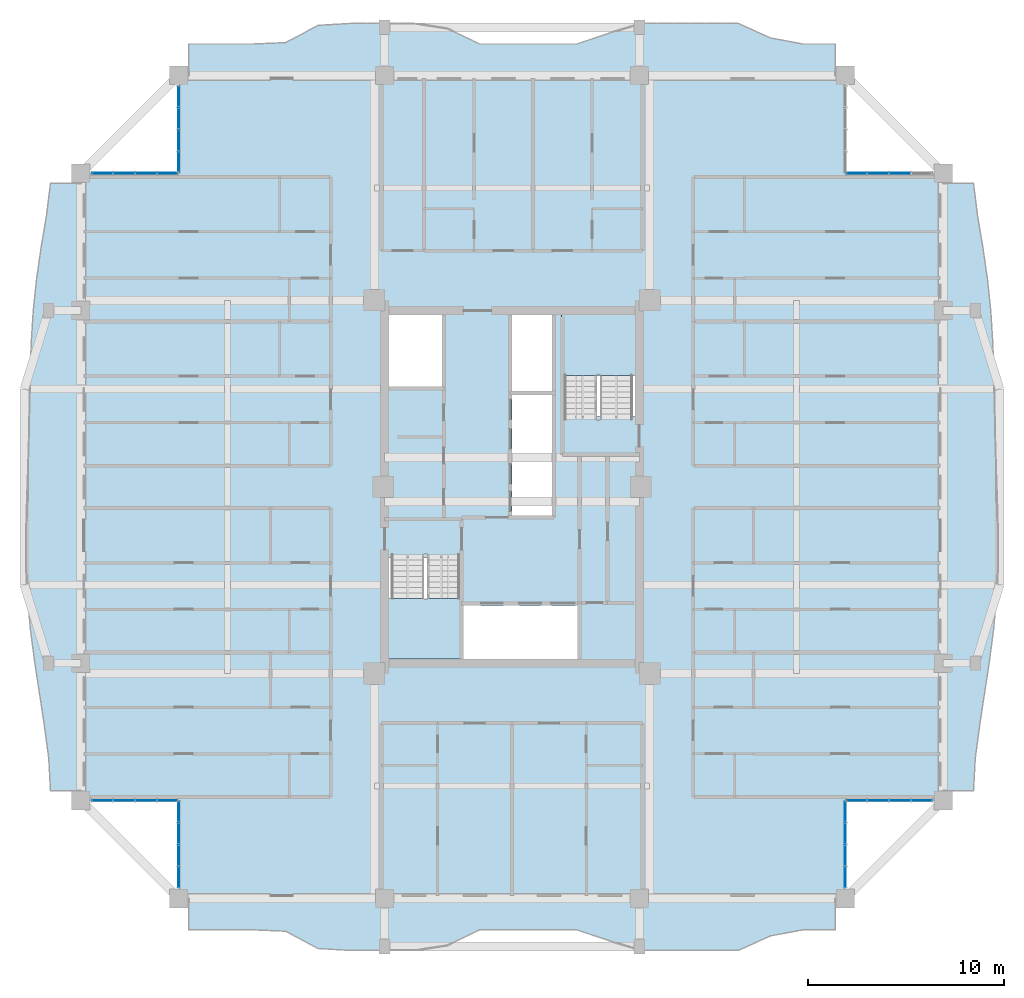
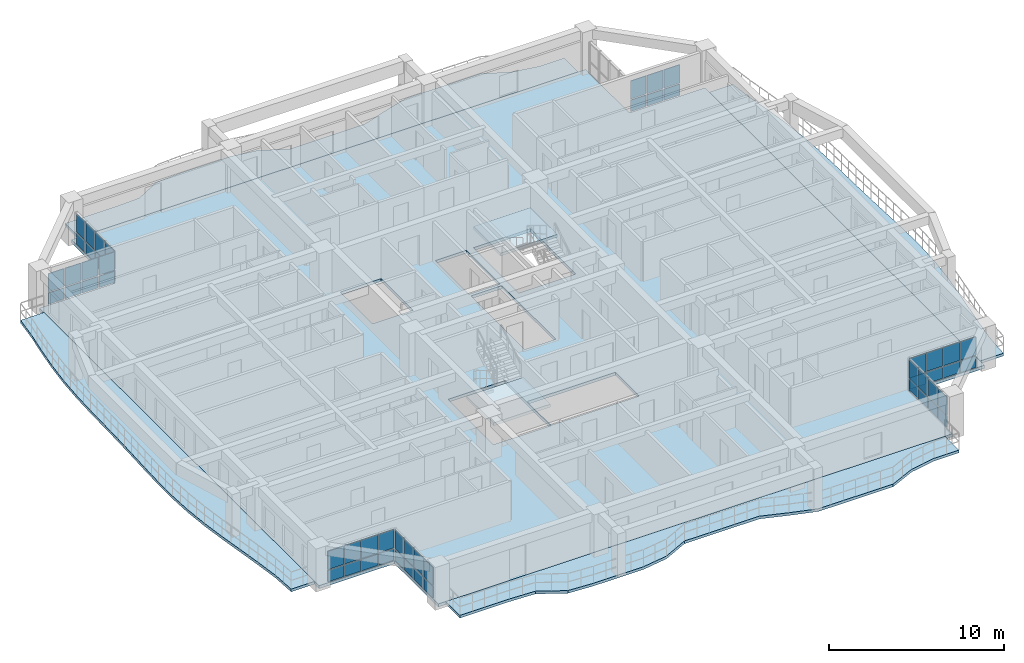
# One storey, part 10 of 23: 54 plates, 7 slabs, 9 elements without a shape of their own.
"""IFC4 building model written with IfcOpenShell, lengths in metres."""

from ifc_helpers import new_model, si_unit, direction, frame, origin, origin_2d, place, context, subcontext, project, spatial, polyline, rectangle, outline, extrude, source, transform, mapped, material, layer, layer_set, type_object, element, aggregate, save


model = new_model("IFC4")

# Units and contexts
model_context = context("Model", 3, precision=1e-05, world=origin(), true_north=direction((0.0, 1.0)))
body_context = subcontext(model_context, "Body", "Model", "MODEL_VIEW")
ifc_project = project(units=[si_unit("LENGTHUNIT", "METRE"), si_unit("AREAUNIT", "SQUARE_METRE"), si_unit("VOLUMEUNIT", "CUBIC_METRE"), si_unit("PLANEANGLEUNIT", "RADIAN"), si_unit("MASSUNIT", "GRAM", prefix="KILO")], contexts=[model_context])

# Site, building, storey
site_placement = place(None, origin())
site = spatial("IfcSite", under=ifc_project, at=site_placement, CompositionType="ELEMENT")
building_placement = place(site_placement, origin())
building = spatial("IfcBuilding", under=site, at=building_placement, Name="Saelheon Loggia Tower", CompositionType="ELEMENT")
storey_placement = place(building_placement, frame((0.0, 0.0, 156.10009765625)))
storey = spatial("IfcBuildingStorey", under=building, at=storey_placement, Name="L49", CompositionType="ELEMENT", Elevation=156.10009765625)

# Slabs
ifc_material_1 = material(Name="Precast Concrete C45/55", Category="concrete")
ifc_layer_1 = layer(ifc_material_1, 0.18994140625)
ifc_layer_set_1 = layer_set([ifc_layer_1], Name="Precast Concrete C45/55")
slab_type_1 = type_object("IfcSlabType", Name="Slab_Loggia_Ext_190", PredefinedType="FLOOR", material=ifc_layer_set_1)
slab_1_placement = place(storey_placement, frame((0.0, 0.0, -0.190185546875)))
element("IfcSlab", 1, at=slab_1_placement, inside=storey, type_object=slab_type_1, Name="L49 Loggia Balcony Slab S", PredefinedType="FLOOR", context=body_context, shape_type="SweptSolid", body=[
    extrude(outline(polyline([(21.5, 4.39990234375), (23.14990234375, 4.39990234375), (24.800048828125, 4.39990234375), (26.449951171875, 4.32861328125), (28.10009765625, 3.448486328125), (29.75, 3.35009765625), (31.39990234375, 3.35009765625), (33.050048828125, 3.35009765625), (34.699951171875, 3.606689453125), (36.35009765625, 4.39990234375), (38.0, 4.39990234375), (39.64990234375, 4.39990234375), (41.300048828125, 4.39990234375), (42.949951171875, 3.85009765625), (44.60009765625, 3.35009765625), (46.25, 3.35009765625), (47.89990234375, 3.35009765625), (49.550048828125, 3.35009765625), (51.199951171875, 4.09326171875), (52.85009765625, 4.39990234375), (54.5, 4.39990234375), (54.5, 6.0), (21.5, 6.0), (21.5, 4.39990234375)])), origin(), (0.0, 0.0, 1.0), 0.190185546875),
])
slab_2_placement = place(storey_placement, frame((0.0, 0.0, -0.190185546875)))
element("IfcSlab", 2, at=slab_2_placement, inside=storey, type_object=slab_type_1, Name="L49 Loggia Balcony Slab N", PredefinedType="FLOOR", context=body_context, shape_type="SweptSolid", body=[
    extrude(outline(polyline([(21.5, 48.0), (54.5, 48.0), (54.5, 49.60009765625), (52.85009765625, 49.60009765625), (51.199951171875, 49.90673828125), (49.550048828125, 50.64990234375), (47.89990234375, 50.64990234375), (46.25, 50.64990234375), (44.60009765625, 50.64990234375), (42.949951171875, 50.14990234375), (41.300048828125, 49.60009765625), (39.64990234375, 49.60009765625), (38.0, 49.60009765625), (36.35009765625, 49.60009765625), (34.699951171875, 50.393310546875), (33.050048828125, 50.64990234375), (31.39990234375, 50.64990234375), (29.75, 50.64990234375), (28.10009765625, 50.551513671875), (26.449951171875, 49.67138671875), (24.800048828125, 49.60009765625), (23.14990234375, 49.60009765625), (21.5, 49.60009765625), (21.5, 48.0)])), origin(), (0.0, 0.0, 1.0), 0.190185546875),
])
slab_3_placement = place(storey_placement, frame((0.0, 0.0, -0.190185546875)))
element("IfcSlab", 3, at=slab_3_placement, inside=storey, type_object=slab_type_1, Name="L49 Loggia Balcony Slab E", PredefinedType="FLOOR", context=body_context, shape_type="SweptSolid", body=[
    extrude(outline(polyline([(60.0, 11.5), (61.550048828125, 11.5), (61.63671875, 13.131591796875), (61.852294921875, 14.76318359375), (62.099853515625, 16.394775390625), (62.35009765625, 18.0263671875), (62.56591796875, 19.657958984375), (62.71630859375, 21.28955078125), (62.78857421875, 22.921142578125), (62.790283203125, 24.552490234375), (62.747314453125, 26.18408203125), (62.690185546875, 27.81591796875), (62.643310546875, 29.447509765625), (62.612548828125, 31.078857421875), (62.5849609375, 32.71044921875), (62.533447265625, 34.342041015625), (62.430419921875, 35.9736328125), (62.259521484375, 37.605224609375), (62.024658203125, 39.23681640625), (61.75, 40.868408203125), (61.550048828125, 42.5), (60.0, 42.5), (60.0, 11.5)])), origin(), (0.0, 0.0, 1.0), 0.190185546875),
])
slab_4_placement = place(storey_placement, frame((0.0, 0.0, -0.190185546875)))
element("IfcSlab", 4, at=slab_4_placement, inside=storey, type_object=slab_type_1, Name="L49 Loggia Balcony Slab W", PredefinedType="FLOOR", context=body_context, shape_type="SweptSolid", body=[
    extrude(outline(polyline([(16.0, 11.5), (16.0, 42.5), (14.449951171875, 42.5), (14.25, 40.868408203125), (13.975341796875, 39.23681640625), (13.740478515625, 37.605224609375), (13.569580078125, 35.9736328125), (13.466552734375, 34.342041015625), (13.4150390625, 32.71044921875), (13.387451171875, 31.078857421875), (13.356689453125, 29.447509765625), (13.309814453125, 27.81591796875), (13.252685546875, 26.18408203125), (13.209716796875, 24.552490234375), (13.21142578125, 22.921142578125), (13.28369140625, 21.28955078125), (13.43408203125, 19.657958984375), (13.64990234375, 18.0263671875), (13.900146484375, 16.394775390625), (14.147705078125, 14.76318359375), (14.36328125, 13.131591796875), (14.449951171875, 11.5), (16.0, 11.5)])), origin(), (0.0, 0.0, 1.0), 0.190185546875),
])

# Stair, slab
ifc_material_2 = material(Name="Concrete C40/50", Category="concrete")
stair_type = type_object("IfcStairType", Name="Stair_Escape_Core", PredefinedType="HALF_TURN_STAIR", material=ifc_material_2)
stair_1_placement = place(storey_placement, origin())
stair_1 = element("IfcStair", 5, at=stair_1_placement, inside=storey, type_object=stair_type, Name="L49 Special Escape Stair ST1", PredefinedType="HALF_TURN_STAIR")
ifc_layer_2 = layer(ifc_material_2, 0.199951171875)
ifc_layer_set_2 = layer_set([ifc_layer_2], Name="Concrete C40/50")
slab_type_2 = type_object("IfcSlabType", Name="Slab_StairLanding_ST1", PredefinedType="LANDING", material=ifc_layer_set_2)
slab_5_placement = place(storey_placement, frame((0.0, 0.0, 1.2998046875)))
slab_5 = element("IfcSlab", 6, at=slab_5_placement, type_object=slab_type_2, Name="ST1 landing 1", PredefinedType="LANDING", context=body_context, shape_type="SweptSolid", body=[
    extrude(outline(polyline([(31.7099609375, 21.31005859375), (31.7099609375, 18.2099609375), (35.469970703125, 18.2099609375), (35.469970703125, 21.31005859375), (31.7099609375, 21.31005859375)])), origin(), (0.0, 0.0, 1.0), 0.2001953125),
])
aggregate(stair_1, [slab_5])

stair_2_placement = place(storey_placement, origin())
stair_2 = element("IfcStair", 7, at=stair_2_placement, inside=storey, type_object=stair_type, Name="L49 Special Escape Stair ST2", PredefinedType="HALF_TURN_STAIR")
ifc_layer_3 = layer(ifc_material_2, 0.199951171875)
ifc_layer_set_3 = layer_set([ifc_layer_3], Name="Concrete C40/50")
slab_type_3 = type_object("IfcSlabType", Name="Slab_StairLanding_ST2", PredefinedType="LANDING", material=ifc_layer_set_3)
slab_6_placement = place(storey_placement, frame((0.0, 0.0, 1.2998046875)))
slab_6 = element("IfcSlab", 8, at=slab_6_placement, type_object=slab_type_3, Name="ST2 landing 1", PredefinedType="LANDING", context=body_context, shape_type="SweptSolid", body=[
    extrude(outline(polyline([(44.2900390625, 32.68994140625), (44.2900390625, 35.7900390625), (40.530029296875, 35.7900390625), (40.530029296875, 32.68994140625), (44.2900390625, 32.68994140625)])), origin(), (0.0, 0.0, 1.0), 0.2001953125),
])
aggregate(stair_2, [slab_6])

# Slab
ifc_layer_4 = layer(ifc_material_2, 0.2099609375)
ifc_layer_set_4 = layer_set([ifc_layer_4], Name="Concrete C40/50")
slab_type_4 = type_object("IfcSlabType", Name="Slab_Tower_210", PredefinedType="FLOOR", material=ifc_layer_set_4)
slab_7_placement = place(storey_placement, frame((0.0, 0.0, -0.210205078125)))
element("IfcSlab", 9, at=slab_7_placement, inside=storey, type_object=slab_type_4, Name="L49 Tower Floor Slab", PredefinedType="FLOOR", context=body_context, shape_type="SweptSolid", body=[
    extrude(outline(polyline([(21.0, 6.0), (55.0, 6.0), (55.0, 11.0), (60.0, 11.0), (60.0, 43.0), (55.0, 43.0), (55.0, 48.0), (21.0, 48.0), (21.0, 43.0), (16.0, 43.0), (16.0, 11.0), (21.0, 11.0), (21.0, 6.0)]), holes=[polyline([(31.699951171875, 23.409912109375), (31.699951171875, 18.199951171875), (35.47998046875, 18.199951171875), (35.47998046875, 23.409912109375), (31.699951171875, 23.409912109375)]), polyline([(44.300048828125, 30.590087890625), (44.300048828125, 35.800048828125), (40.52001953125, 35.800048828125), (40.52001953125, 30.590087890625), (44.300048828125, 30.590087890625)]), polyline([(35.530029296875, 18.22509765625), (41.35009765625, 18.22509765625), (41.35009765625, 20.9599609375), (35.530029296875, 20.9599609375), (35.530029296875, 18.22509765625)]), polyline([(31.72509765625, 32.1201171875), (34.419921875, 32.1201171875), (34.419921875, 35.77490234375), (31.72509765625, 35.77490234375), (31.72509765625, 32.1201171875)]), polyline([(38.0, 31.89990234375), (40.050048828125, 31.89990234375), (40.050048828125, 35.77490234375), (38.0, 35.77490234375), (38.0, 31.89990234375)]), polyline([(38.0, 25.5400390625), (40.050048828125, 25.5400390625), (40.050048828125, 31.699951171875), (38.0, 31.699951171875), (38.0, 25.5400390625)])]), origin(), (0.0, 0.0, 1.0), 0.210205078125),
])

# Curtain wall, plates
ifc_material_3 = material(Name="High-Wind Aluminium and Triple Laminated Glass", Category="aluminium")
ifc_layer_5 = layer(ifc_material_3, 0.179931640625)
ifc_layer_set_5 = layer_set([ifc_layer_5], Name="High-Wind Aluminium and Triple Laminated Glass")
curtain_wall_type = type_object("IfcCurtainWallType", Name="CW_TowerLoggiaHigh", PredefinedType="NOTDEFINED", material=ifc_layer_set_5)
curtain_wall_1_placement = place(storey_placement, origin())
curtain_wall_1 = element("IfcCurtainWall", 10, at=curtain_wall_1_placement, inside=storey, type_object=curtain_wall_type, Name="L49 Corner Notch Glazing SW1", PredefinedType="NOTDEFINED")
ifc_material_4 = material(Name="Triple Low-E Laminated Glazing", Category="glass")
ifc_layer_6 = layer(ifc_material_4, 0.0439453125)
ifc_layer_set_6 = layer_set([ifc_layer_6], Name="Triple Low-E Laminated Glazing")
plate_type = type_object("IfcPlateType", Name="CW_TowerLoggiaHigh_Panel", PredefinedType="CURTAIN_PANEL", material=ifc_layer_set_6)
shared_shape_1 = source(origin(), body_context, "Body", "SweptSolid", [
    extrude(rectangle(XDim=1.016357421875, YDim=0.0439453125, at=origin_2d()), origin(), (0.0, 0.0, 1.0), 0.794921875),
])
plate_1_placement = place(storey_placement, frame((21.0, 7.093017578125, 0.06982421875), z_axis=(0.0, 0.0, 1.0), x_axis=(0.0, 1.0, 0.0)))
plate_1 = element("IfcPlate", 11, at=plate_1_placement, type_object=plate_type, Name="CW4 panel 1.1", PredefinedType="CURTAIN_PANEL", context=body_context, shape_type="MappedRepresentation", body=[
    mapped(shared_shape_1, transform((0.0, 0.0, 0.0), scale=1.0)),
])
plate_2_placement = place(storey_placement, frame((21.0, 10.421875, 0.06982421875), z_axis=(0.0, 0.0, 1.0), x_axis=(0.0, 1.0, 0.0)))
plate_2 = element("IfcPlate", 12, at=plate_2_placement, type_object=plate_type, Name="CW4 panel 4.1", PredefinedType="CURTAIN_PANEL", context=body_context, shape_type="MappedRepresentation", body=[
    mapped(shared_shape_1, transform((0.0, 0.0, 0.0), scale=1.0)),
])

curtain_wall_2_placement = place(storey_placement, origin())
curtain_wall_2 = element("IfcCurtainWall", 13, at=curtain_wall_2_placement, inside=storey, type_object=curtain_wall_type, Name="L49 Corner Notch Glazing SW2", PredefinedType="NOTDEFINED")
plate_3_placement = place(storey_placement, frame((17.093017578125, 11.0, 0.06982421875), z_axis=(0.0, 0.0, 1.0), x_axis=(1.0, 0.0, 0.0)))
plate_3 = element("IfcPlate", 14, at=plate_3_placement, type_object=plate_type, Name="CW4 panel 1.1", PredefinedType="CURTAIN_PANEL", context=body_context, shape_type="MappedRepresentation", body=[
    mapped(shared_shape_1, transform((0.0, 0.0, 0.0), scale=1.0)),
])
plate_4_placement = place(storey_placement, frame((20.421875, 11.0, 0.06982421875), z_axis=(0.0, 0.0, 1.0), x_axis=(1.0, 0.0, 0.0)))
plate_4 = element("IfcPlate", 15, at=plate_4_placement, type_object=plate_type, Name="CW4 panel 4.1", PredefinedType="CURTAIN_PANEL", context=body_context, shape_type="MappedRepresentation", body=[
    mapped(shared_shape_1, transform((0.0, 0.0, 0.0), scale=1.0)),
])

curtain_wall_3_placement = place(storey_placement, origin())
curtain_wall_3 = element("IfcCurtainWall", 16, at=curtain_wall_3_placement, inside=storey, type_object=curtain_wall_type, Name="L49 Corner Notch Glazing SE1", PredefinedType="NOTDEFINED")
plate_5_placement = place(storey_placement, frame((55.0, 7.093017578125, 0.06982421875), z_axis=(0.0, 0.0, 1.0), x_axis=(0.0, 1.0, 0.0)))
plate_5 = element("IfcPlate", 17, at=plate_5_placement, type_object=plate_type, Name="CW4 panel 1.1", PredefinedType="CURTAIN_PANEL", context=body_context, shape_type="MappedRepresentation", body=[
    mapped(shared_shape_1, transform((0.0, 0.0, 0.0), scale=1.0)),
])
plate_6_placement = place(storey_placement, frame((55.0, 10.421875, 0.06982421875), z_axis=(0.0, 0.0, 1.0), x_axis=(0.0, 1.0, 0.0)))
plate_6 = element("IfcPlate", 18, at=plate_6_placement, type_object=plate_type, Name="CW4 panel 4.1", PredefinedType="CURTAIN_PANEL", context=body_context, shape_type="MappedRepresentation", body=[
    mapped(shared_shape_1, transform((0.0, 0.0, 0.0), scale=1.0)),
])

curtain_wall_4_placement = place(storey_placement, origin())
curtain_wall_4 = element("IfcCurtainWall", 19, at=curtain_wall_4_placement, inside=storey, type_object=curtain_wall_type, Name="L49 Corner Notch Glazing SE2", PredefinedType="NOTDEFINED")
plate_7_placement = place(storey_placement, frame((55.578125, 11.0, 0.06982421875), z_axis=(0.0, 0.0, 1.0), x_axis=(1.0, 0.0, 0.0)))
plate_7 = element("IfcPlate", 20, at=plate_7_placement, type_object=plate_type, Name="CW4 panel 1.1", PredefinedType="CURTAIN_PANEL", context=body_context, shape_type="MappedRepresentation", body=[
    mapped(shared_shape_1, transform((0.0, 0.0, 0.0), scale=1.0)),
])
plate_8_placement = place(storey_placement, frame((58.906982421875, 11.0, 0.06982421875), z_axis=(0.0, 0.0, 1.0), x_axis=(1.0, 0.0, 0.0)))
plate_8 = element("IfcPlate", 21, at=plate_8_placement, type_object=plate_type, Name="CW4 panel 4.1", PredefinedType="CURTAIN_PANEL", context=body_context, shape_type="MappedRepresentation", body=[
    mapped(shared_shape_1, transform((0.0, 0.0, 0.0), scale=1.0)),
])

curtain_wall_5_placement = place(storey_placement, origin())
curtain_wall_5 = element("IfcCurtainWall", 22, at=curtain_wall_5_placement, inside=storey, type_object=curtain_wall_type, Name="L49 Corner Notch Glazing NW1", PredefinedType="NOTDEFINED")
plate_9_placement = place(storey_placement, frame((21.0, 43.578125, 0.06982421875), z_axis=(0.0, 0.0, 1.0), x_axis=(0.0, 1.0, 0.0)))
plate_9 = element("IfcPlate", 23, at=plate_9_placement, type_object=plate_type, Name="CW4 panel 1.1", PredefinedType="CURTAIN_PANEL", context=body_context, shape_type="MappedRepresentation", body=[
    mapped(shared_shape_1, transform((0.0, 0.0, 0.0), scale=1.0)),
])
plate_10_placement = place(storey_placement, frame((21.0, 46.906982421875, 0.06982421875), z_axis=(0.0, 0.0, 1.0), x_axis=(0.0, 1.0, 0.0)))
plate_10 = element("IfcPlate", 24, at=plate_10_placement, type_object=plate_type, Name="CW4 panel 4.1", PredefinedType="CURTAIN_PANEL", context=body_context, shape_type="MappedRepresentation", body=[
    mapped(shared_shape_1, transform((0.0, 0.0, 0.0), scale=1.0)),
])

curtain_wall_6_placement = place(storey_placement, origin())
curtain_wall_6 = element("IfcCurtainWall", 25, at=curtain_wall_6_placement, inside=storey, type_object=curtain_wall_type, Name="L49 Corner Notch Glazing NW2", PredefinedType="NOTDEFINED")
plate_11_placement = place(storey_placement, frame((17.093017578125, 43.0, 0.06982421875), z_axis=(0.0, 0.0, 1.0), x_axis=(1.0, 0.0, 0.0)))
plate_11 = element("IfcPlate", 26, at=plate_11_placement, type_object=plate_type, Name="CW4 panel 1.1", PredefinedType="CURTAIN_PANEL", context=body_context, shape_type="MappedRepresentation", body=[
    mapped(shared_shape_1, transform((0.0, 0.0, 0.0), scale=1.0)),
])
plate_12_placement = place(storey_placement, frame((20.421875, 43.0, 0.06982421875), z_axis=(0.0, 0.0, 1.0), x_axis=(1.0, 0.0, 0.0)))
plate_12 = element("IfcPlate", 27, at=plate_12_placement, type_object=plate_type, Name="CW4 panel 4.1", PredefinedType="CURTAIN_PANEL", context=body_context, shape_type="MappedRepresentation", body=[
    mapped(shared_shape_1, transform((0.0, 0.0, 0.0), scale=1.0)),
])

# Curtain wall, plate
curtain_wall_7_placement = place(storey_placement, origin())
curtain_wall_7 = element("IfcCurtainWall", 28, at=curtain_wall_7_placement, inside=storey, type_object=curtain_wall_type, Name="L49 Corner Notch Glazing NE2", PredefinedType="NOTDEFINED")
plate_13_placement = place(storey_placement, frame((55.578125, 43.0, 0.06982421875), z_axis=(0.0, 0.0, 1.0), x_axis=(1.0, 0.0, 0.0)))
plate_13 = element("IfcPlate", 29, at=plate_13_placement, type_object=plate_type, Name="CW4 panel 1.1", PredefinedType="CURTAIN_PANEL", context=body_context, shape_type="MappedRepresentation", body=[
    mapped(shared_shape_1, transform((0.0, 0.0, 0.0), scale=1.0)),
])

# Plate
shared_shape_2 = source(origin(), body_context, "Body", "SweptSolid", [
    extrude(rectangle(XDim=1.016357421875, YDim=0.0439453125, at=origin_2d()), origin(), (0.0, 0.0, 1.0), 1.27490234375),
])
plate_14_placement = place(storey_placement, frame((21.0, 7.093017578125, 0.93505859375), z_axis=(0.0, 0.0, 1.0), x_axis=(0.0, 1.0, 0.0)))
plate_14 = element("IfcPlate", 30, at=plate_14_placement, type_object=plate_type, Name="CW4 panel 1.2", PredefinedType="CURTAIN_PANEL", context=body_context, shape_type="MappedRepresentation", body=[
    mapped(shared_shape_2, transform((0.0, 0.0, 0.0), scale=1.0)),
])

plate_15_placement = place(storey_placement, frame((21.0, 10.421875, 0.93505859375), z_axis=(0.0, 0.0, 1.0), x_axis=(0.0, 1.0, 0.0)))
plate_15 = element("IfcPlate", 31, at=plate_15_placement, type_object=plate_type, Name="CW4 panel 4.2", PredefinedType="CURTAIN_PANEL", context=body_context, shape_type="MappedRepresentation", body=[
    mapped(shared_shape_2, transform((0.0, 0.0, 0.0), scale=1.0)),
])

plate_16_placement = place(storey_placement, frame((17.093017578125, 11.0, 0.93505859375), z_axis=(0.0, 0.0, 1.0), x_axis=(1.0, 0.0, 0.0)))
plate_16 = element("IfcPlate", 32, at=plate_16_placement, type_object=plate_type, Name="CW4 panel 1.2", PredefinedType="CURTAIN_PANEL", context=body_context, shape_type="MappedRepresentation", body=[
    mapped(shared_shape_2, transform((0.0, 0.0, 0.0), scale=1.0)),
])

plate_17_placement = place(storey_placement, frame((20.421875, 11.0, 0.93505859375), z_axis=(0.0, 0.0, 1.0), x_axis=(1.0, 0.0, 0.0)))
plate_17 = element("IfcPlate", 33, at=plate_17_placement, type_object=plate_type, Name="CW4 panel 4.2", PredefinedType="CURTAIN_PANEL", context=body_context, shape_type="MappedRepresentation", body=[
    mapped(shared_shape_2, transform((0.0, 0.0, 0.0), scale=1.0)),
])

plate_18_placement = place(storey_placement, frame((55.0, 7.093017578125, 0.93505859375), z_axis=(0.0, 0.0, 1.0), x_axis=(0.0, 1.0, 0.0)))
plate_18 = element("IfcPlate", 34, at=plate_18_placement, type_object=plate_type, Name="CW4 panel 1.2", PredefinedType="CURTAIN_PANEL", context=body_context, shape_type="MappedRepresentation", body=[
    mapped(shared_shape_2, transform((0.0, 0.0, 0.0), scale=1.0)),
])

plate_19_placement = place(storey_placement, frame((55.0, 10.421875, 0.93505859375), z_axis=(0.0, 0.0, 1.0), x_axis=(0.0, 1.0, 0.0)))
plate_19 = element("IfcPlate", 35, at=plate_19_placement, type_object=plate_type, Name="CW4 panel 4.2", PredefinedType="CURTAIN_PANEL", context=body_context, shape_type="MappedRepresentation", body=[
    mapped(shared_shape_2, transform((0.0, 0.0, 0.0), scale=1.0)),
])

plate_20_placement = place(storey_placement, frame((55.578125, 11.0, 0.93505859375), z_axis=(0.0, 0.0, 1.0), x_axis=(1.0, 0.0, 0.0)))
plate_20 = element("IfcPlate", 36, at=plate_20_placement, type_object=plate_type, Name="CW4 panel 1.2", PredefinedType="CURTAIN_PANEL", context=body_context, shape_type="MappedRepresentation", body=[
    mapped(shared_shape_2, transform((0.0, 0.0, 0.0), scale=1.0)),
])

plate_21_placement = place(storey_placement, frame((58.906982421875, 11.0, 0.93505859375), z_axis=(0.0, 0.0, 1.0), x_axis=(1.0, 0.0, 0.0)))
plate_21 = element("IfcPlate", 37, at=plate_21_placement, type_object=plate_type, Name="CW4 panel 4.2", PredefinedType="CURTAIN_PANEL", context=body_context, shape_type="MappedRepresentation", body=[
    mapped(shared_shape_2, transform((0.0, 0.0, 0.0), scale=1.0)),
])

plate_22_placement = place(storey_placement, frame((21.0, 43.578125, 0.93505859375), z_axis=(0.0, 0.0, 1.0), x_axis=(0.0, 1.0, 0.0)))
plate_22 = element("IfcPlate", 38, at=plate_22_placement, type_object=plate_type, Name="CW4 panel 1.2", PredefinedType="CURTAIN_PANEL", context=body_context, shape_type="MappedRepresentation", body=[
    mapped(shared_shape_2, transform((0.0, 0.0, 0.0), scale=1.0)),
])

plate_23_placement = place(storey_placement, frame((21.0, 46.906982421875, 0.93505859375), z_axis=(0.0, 0.0, 1.0), x_axis=(0.0, 1.0, 0.0)))
plate_23 = element("IfcPlate", 39, at=plate_23_placement, type_object=plate_type, Name="CW4 panel 4.2", PredefinedType="CURTAIN_PANEL", context=body_context, shape_type="MappedRepresentation", body=[
    mapped(shared_shape_2, transform((0.0, 0.0, 0.0), scale=1.0)),
])

plate_24_placement = place(storey_placement, frame((17.093017578125, 43.0, 0.93505859375), z_axis=(0.0, 0.0, 1.0), x_axis=(1.0, 0.0, 0.0)))
plate_24 = element("IfcPlate", 40, at=plate_24_placement, type_object=plate_type, Name="CW4 panel 1.2", PredefinedType="CURTAIN_PANEL", context=body_context, shape_type="MappedRepresentation", body=[
    mapped(shared_shape_2, transform((0.0, 0.0, 0.0), scale=1.0)),
])

plate_25_placement = place(storey_placement, frame((20.421875, 43.0, 0.93505859375), z_axis=(0.0, 0.0, 1.0), x_axis=(1.0, 0.0, 0.0)))
plate_25 = element("IfcPlate", 41, at=plate_25_placement, type_object=plate_type, Name="CW4 panel 4.2", PredefinedType="CURTAIN_PANEL", context=body_context, shape_type="MappedRepresentation", body=[
    mapped(shared_shape_2, transform((0.0, 0.0, 0.0), scale=1.0)),
])

plate_26_placement = place(storey_placement, frame((55.578125, 43.0, 0.93505859375), z_axis=(0.0, 0.0, 1.0), x_axis=(1.0, 0.0, 0.0)))
plate_26 = element("IfcPlate", 42, at=plate_26_placement, type_object=plate_type, Name="CW4 panel 1.2", PredefinedType="CURTAIN_PANEL", context=body_context, shape_type="MappedRepresentation", body=[
    mapped(shared_shape_2, transform((0.0, 0.0, 0.0), scale=1.0)),
])

shared_shape_3 = source(origin(), body_context, "Body", "SweptSolid", [
    extrude(rectangle(XDim=1.05126953125, YDim=0.0439453125, at=origin_2d()), origin(), (0.0, 0.0, 1.0), 0.794921875),
])
plate_27_placement = place(storey_placement, frame((21.0, 8.19677734375, 0.06982421875), z_axis=(0.0, 0.0, 1.0), x_axis=(0.0, 1.0, 0.0)))
plate_27 = element("IfcPlate", 43, at=plate_27_placement, type_object=plate_type, Name="CW4 panel 2.1", PredefinedType="CURTAIN_PANEL", context=body_context, shape_type="MappedRepresentation", body=[
    mapped(shared_shape_3, transform((0.0, 0.0, 0.0), scale=1.0)),
])

plate_28_placement = place(storey_placement, frame((21.0, 9.318115234375, 0.06982421875), z_axis=(0.0, 0.0, 1.0), x_axis=(0.0, 1.0, 0.0)))
plate_28 = element("IfcPlate", 44, at=plate_28_placement, type_object=plate_type, Name="CW4 panel 3.1", PredefinedType="CURTAIN_PANEL", context=body_context, shape_type="MappedRepresentation", body=[
    mapped(shared_shape_3, transform((0.0, 0.0, 0.0), scale=1.0)),
])

plate_29_placement = place(storey_placement, frame((18.19677734375, 11.0, 0.06982421875), z_axis=(0.0, 0.0, 1.0), x_axis=(1.0, 0.0, 0.0)))
plate_29 = element("IfcPlate", 45, at=plate_29_placement, type_object=plate_type, Name="CW4 panel 2.1", PredefinedType="CURTAIN_PANEL", context=body_context, shape_type="MappedRepresentation", body=[
    mapped(shared_shape_3, transform((0.0, 0.0, 0.0), scale=1.0)),
])

plate_30_placement = place(storey_placement, frame((19.318115234375, 11.0, 0.06982421875), z_axis=(0.0, 0.0, 1.0), x_axis=(1.0, 0.0, 0.0)))
plate_30 = element("IfcPlate", 46, at=plate_30_placement, type_object=plate_type, Name="CW4 panel 3.1", PredefinedType="CURTAIN_PANEL", context=body_context, shape_type="MappedRepresentation", body=[
    mapped(shared_shape_3, transform((0.0, 0.0, 0.0), scale=1.0)),
])

plate_31_placement = place(storey_placement, frame((55.0, 8.19677734375, 0.06982421875), z_axis=(0.0, 0.0, 1.0), x_axis=(0.0, 1.0, 0.0)))
plate_31 = element("IfcPlate", 47, at=plate_31_placement, type_object=plate_type, Name="CW4 panel 2.1", PredefinedType="CURTAIN_PANEL", context=body_context, shape_type="MappedRepresentation", body=[
    mapped(shared_shape_3, transform((0.0, 0.0, 0.0), scale=1.0)),
])

plate_32_placement = place(storey_placement, frame((55.0, 9.318115234375, 0.06982421875), z_axis=(0.0, 0.0, 1.0), x_axis=(0.0, 1.0, 0.0)))
plate_32 = element("IfcPlate", 48, at=plate_32_placement, type_object=plate_type, Name="CW4 panel 3.1", PredefinedType="CURTAIN_PANEL", context=body_context, shape_type="MappedRepresentation", body=[
    mapped(shared_shape_3, transform((0.0, 0.0, 0.0), scale=1.0)),
])

plate_33_placement = place(storey_placement, frame((56.681884765625, 11.0, 0.06982421875), z_axis=(0.0, 0.0, 1.0), x_axis=(1.0, 0.0, 0.0)))
plate_33 = element("IfcPlate", 49, at=plate_33_placement, type_object=plate_type, Name="CW4 panel 2.1", PredefinedType="CURTAIN_PANEL", context=body_context, shape_type="MappedRepresentation", body=[
    mapped(shared_shape_3, transform((0.0, 0.0, 0.0), scale=1.0)),
])

plate_34_placement = place(storey_placement, frame((57.80322265625, 11.0, 0.06982421875), z_axis=(0.0, 0.0, 1.0), x_axis=(1.0, 0.0, 0.0)))
plate_34 = element("IfcPlate", 50, at=plate_34_placement, type_object=plate_type, Name="CW4 panel 3.1", PredefinedType="CURTAIN_PANEL", context=body_context, shape_type="MappedRepresentation", body=[
    mapped(shared_shape_3, transform((0.0, 0.0, 0.0), scale=1.0)),
])

plate_35_placement = place(storey_placement, frame((21.0, 44.681884765625, 0.06982421875), z_axis=(0.0, 0.0, 1.0), x_axis=(0.0, 1.0, 0.0)))
plate_35 = element("IfcPlate", 51, at=plate_35_placement, type_object=plate_type, Name="CW4 panel 2.1", PredefinedType="CURTAIN_PANEL", context=body_context, shape_type="MappedRepresentation", body=[
    mapped(shared_shape_3, transform((0.0, 0.0, 0.0), scale=1.0)),
])

plate_36_placement = place(storey_placement, frame((21.0, 45.80322265625, 0.06982421875), z_axis=(0.0, 0.0, 1.0), x_axis=(0.0, 1.0, 0.0)))
plate_36 = element("IfcPlate", 52, at=plate_36_placement, type_object=plate_type, Name="CW4 panel 3.1", PredefinedType="CURTAIN_PANEL", context=body_context, shape_type="MappedRepresentation", body=[
    mapped(shared_shape_3, transform((0.0, 0.0, 0.0), scale=1.0)),
])

plate_37_placement = place(storey_placement, frame((18.19677734375, 43.0, 0.06982421875), z_axis=(0.0, 0.0, 1.0), x_axis=(1.0, 0.0, 0.0)))
plate_37 = element("IfcPlate", 53, at=plate_37_placement, type_object=plate_type, Name="CW4 panel 2.1", PredefinedType="CURTAIN_PANEL", context=body_context, shape_type="MappedRepresentation", body=[
    mapped(shared_shape_3, transform((0.0, 0.0, 0.0), scale=1.0)),
])

plate_38_placement = place(storey_placement, frame((19.318115234375, 43.0, 0.06982421875), z_axis=(0.0, 0.0, 1.0), x_axis=(1.0, 0.0, 0.0)))
plate_38 = element("IfcPlate", 54, at=plate_38_placement, type_object=plate_type, Name="CW4 panel 3.1", PredefinedType="CURTAIN_PANEL", context=body_context, shape_type="MappedRepresentation", body=[
    mapped(shared_shape_3, transform((0.0, 0.0, 0.0), scale=1.0)),
])

plate_39_placement = place(storey_placement, frame((56.681884765625, 43.0, 0.06982421875), z_axis=(0.0, 0.0, 1.0), x_axis=(1.0, 0.0, 0.0)))
plate_39 = element("IfcPlate", 55, at=plate_39_placement, type_object=plate_type, Name="CW4 panel 2.1", PredefinedType="CURTAIN_PANEL", context=body_context, shape_type="MappedRepresentation", body=[
    mapped(shared_shape_3, transform((0.0, 0.0, 0.0), scale=1.0)),
])

plate_40_placement = place(storey_placement, frame((57.80322265625, 43.0, 0.06982421875), z_axis=(0.0, 0.0, 1.0), x_axis=(1.0, 0.0, 0.0)))
plate_40 = element("IfcPlate", 56, at=plate_40_placement, type_object=plate_type, Name="CW4 panel 3.1", PredefinedType="CURTAIN_PANEL", context=body_context, shape_type="MappedRepresentation", body=[
    mapped(shared_shape_3, transform((0.0, 0.0, 0.0), scale=1.0)),
])

shared_shape_4 = source(origin(), body_context, "Body", "SweptSolid", [
    extrude(rectangle(XDim=1.05126953125, YDim=0.0439453125, at=origin_2d()), origin(), (0.0, 0.0, 1.0), 1.27490234375),
])
plate_41_placement = place(storey_placement, frame((21.0, 8.19677734375, 0.93505859375), z_axis=(0.0, 0.0, 1.0), x_axis=(0.0, 1.0, 0.0)))
plate_41 = element("IfcPlate", 57, at=plate_41_placement, type_object=plate_type, Name="CW4 panel 2.2", PredefinedType="CURTAIN_PANEL", context=body_context, shape_type="MappedRepresentation", body=[
    mapped(shared_shape_4, transform((0.0, 0.0, 0.0), scale=1.0)),
])

plate_42_placement = place(storey_placement, frame((21.0, 9.318115234375, 0.93505859375), z_axis=(0.0, 0.0, 1.0), x_axis=(0.0, 1.0, 0.0)))
plate_42 = element("IfcPlate", 58, at=plate_42_placement, type_object=plate_type, Name="CW4 panel 3.2", PredefinedType="CURTAIN_PANEL", context=body_context, shape_type="MappedRepresentation", body=[
    mapped(shared_shape_4, transform((0.0, 0.0, 0.0), scale=1.0)),
])

aggregate(curtain_wall_1, [plate_1, plate_14, plate_27, plate_41, plate_28, plate_42, plate_2, plate_15])

plate_43_placement = place(storey_placement, frame((18.19677734375, 11.0, 0.93505859375), z_axis=(0.0, 0.0, 1.0), x_axis=(1.0, 0.0, 0.0)))
plate_43 = element("IfcPlate", 59, at=plate_43_placement, type_object=plate_type, Name="CW4 panel 2.2", PredefinedType="CURTAIN_PANEL", context=body_context, shape_type="MappedRepresentation", body=[
    mapped(shared_shape_4, transform((0.0, 0.0, 0.0), scale=1.0)),
])

plate_44_placement = place(storey_placement, frame((19.318115234375, 11.0, 0.93505859375), z_axis=(0.0, 0.0, 1.0), x_axis=(1.0, 0.0, 0.0)))
plate_44 = element("IfcPlate", 60, at=plate_44_placement, type_object=plate_type, Name="CW4 panel 3.2", PredefinedType="CURTAIN_PANEL", context=body_context, shape_type="MappedRepresentation", body=[
    mapped(shared_shape_4, transform((0.0, 0.0, 0.0), scale=1.0)),
])

aggregate(curtain_wall_2, [plate_3, plate_16, plate_29, plate_43, plate_30, plate_44, plate_4, plate_17])

plate_45_placement = place(storey_placement, frame((55.0, 8.19677734375, 0.93505859375), z_axis=(0.0, 0.0, 1.0), x_axis=(0.0, 1.0, 0.0)))
plate_45 = element("IfcPlate", 61, at=plate_45_placement, type_object=plate_type, Name="CW4 panel 2.2", PredefinedType="CURTAIN_PANEL", context=body_context, shape_type="MappedRepresentation", body=[
    mapped(shared_shape_4, transform((0.0, 0.0, 0.0), scale=1.0)),
])

plate_46_placement = place(storey_placement, frame((55.0, 9.318115234375, 0.93505859375), z_axis=(0.0, 0.0, 1.0), x_axis=(0.0, 1.0, 0.0)))
plate_46 = element("IfcPlate", 62, at=plate_46_placement, type_object=plate_type, Name="CW4 panel 3.2", PredefinedType="CURTAIN_PANEL", context=body_context, shape_type="MappedRepresentation", body=[
    mapped(shared_shape_4, transform((0.0, 0.0, 0.0), scale=1.0)),
])

aggregate(curtain_wall_3, [plate_5, plate_18, plate_31, plate_45, plate_32, plate_46, plate_6, plate_19])

plate_47_placement = place(storey_placement, frame((56.681884765625, 11.0, 0.93505859375), z_axis=(0.0, 0.0, 1.0), x_axis=(1.0, 0.0, 0.0)))
plate_47 = element("IfcPlate", 63, at=plate_47_placement, type_object=plate_type, Name="CW4 panel 2.2", PredefinedType="CURTAIN_PANEL", context=body_context, shape_type="MappedRepresentation", body=[
    mapped(shared_shape_4, transform((0.0, 0.0, 0.0), scale=1.0)),
])

plate_48_placement = place(storey_placement, frame((57.80322265625, 11.0, 0.93505859375), z_axis=(0.0, 0.0, 1.0), x_axis=(1.0, 0.0, 0.0)))
plate_48 = element("IfcPlate", 64, at=plate_48_placement, type_object=plate_type, Name="CW4 panel 3.2", PredefinedType="CURTAIN_PANEL", context=body_context, shape_type="MappedRepresentation", body=[
    mapped(shared_shape_4, transform((0.0, 0.0, 0.0), scale=1.0)),
])

aggregate(curtain_wall_4, [plate_7, plate_20, plate_33, plate_47, plate_34, plate_48, plate_8, plate_21])

plate_49_placement = place(storey_placement, frame((21.0, 44.681884765625, 0.93505859375), z_axis=(0.0, 0.0, 1.0), x_axis=(0.0, 1.0, 0.0)))
plate_49 = element("IfcPlate", 65, at=plate_49_placement, type_object=plate_type, Name="CW4 panel 2.2", PredefinedType="CURTAIN_PANEL", context=body_context, shape_type="MappedRepresentation", body=[
    mapped(shared_shape_4, transform((0.0, 0.0, 0.0), scale=1.0)),
])

plate_50_placement = place(storey_placement, frame((21.0, 45.80322265625, 0.93505859375), z_axis=(0.0, 0.0, 1.0), x_axis=(0.0, 1.0, 0.0)))
plate_50 = element("IfcPlate", 66, at=plate_50_placement, type_object=plate_type, Name="CW4 panel 3.2", PredefinedType="CURTAIN_PANEL", context=body_context, shape_type="MappedRepresentation", body=[
    mapped(shared_shape_4, transform((0.0, 0.0, 0.0), scale=1.0)),
])

aggregate(curtain_wall_5, [plate_9, plate_22, plate_35, plate_49, plate_36, plate_50, plate_10, plate_23])

plate_51_placement = place(storey_placement, frame((18.19677734375, 43.0, 0.93505859375), z_axis=(0.0, 0.0, 1.0), x_axis=(1.0, 0.0, 0.0)))
plate_51 = element("IfcPlate", 67, at=plate_51_placement, type_object=plate_type, Name="CW4 panel 2.2", PredefinedType="CURTAIN_PANEL", context=body_context, shape_type="MappedRepresentation", body=[
    mapped(shared_shape_4, transform((0.0, 0.0, 0.0), scale=1.0)),
])

plate_52_placement = place(storey_placement, frame((19.318115234375, 43.0, 0.93505859375), z_axis=(0.0, 0.0, 1.0), x_axis=(1.0, 0.0, 0.0)))
plate_52 = element("IfcPlate", 68, at=plate_52_placement, type_object=plate_type, Name="CW4 panel 3.2", PredefinedType="CURTAIN_PANEL", context=body_context, shape_type="MappedRepresentation", body=[
    mapped(shared_shape_4, transform((0.0, 0.0, 0.0), scale=1.0)),
])

aggregate(curtain_wall_6, [plate_11, plate_24, plate_37, plate_51, plate_38, plate_52, plate_12, plate_25])

plate_53_placement = place(storey_placement, frame((56.681884765625, 43.0, 0.93505859375), z_axis=(0.0, 0.0, 1.0), x_axis=(1.0, 0.0, 0.0)))
plate_53 = element("IfcPlate", 69, at=plate_53_placement, type_object=plate_type, Name="CW4 panel 2.2", PredefinedType="CURTAIN_PANEL", context=body_context, shape_type="MappedRepresentation", body=[
    mapped(shared_shape_4, transform((0.0, 0.0, 0.0), scale=1.0)),
])

plate_54_placement = place(storey_placement, frame((57.80322265625, 43.0, 0.93505859375), z_axis=(0.0, 0.0, 1.0), x_axis=(1.0, 0.0, 0.0)))
plate_54 = element("IfcPlate", 70, at=plate_54_placement, type_object=plate_type, Name="CW4 panel 3.2", PredefinedType="CURTAIN_PANEL", context=body_context, shape_type="MappedRepresentation", body=[
    mapped(shared_shape_4, transform((0.0, 0.0, 0.0), scale=1.0)),
])

aggregate(curtain_wall_7, [plate_13, plate_26, plate_39, plate_53, plate_40, plate_54])

save(model, "model.ifc")
